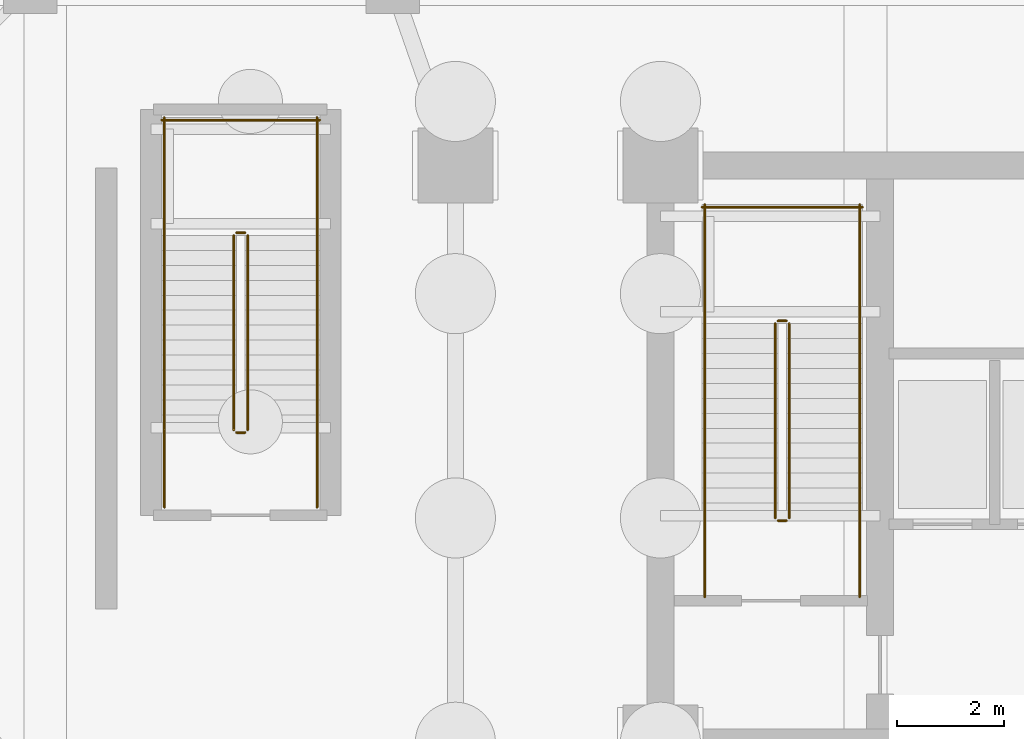
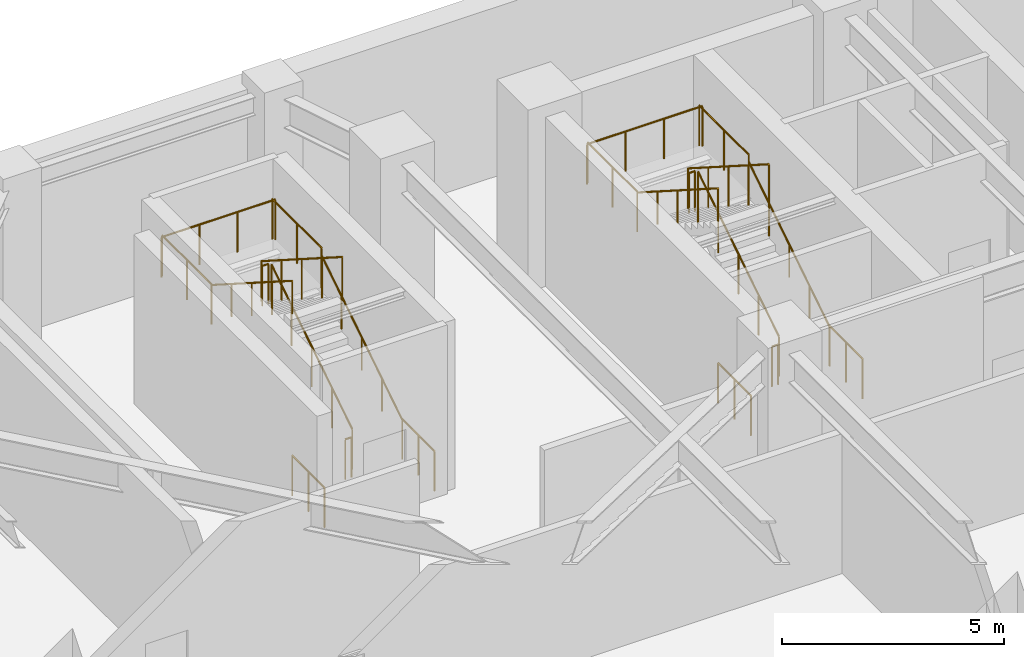
# One storey, part 7 of 9: 22 railings.
"""IFC4 building model written with IfcOpenShell, lengths in metres."""

from ifc_helpers import new_model, si_unit, direction, frame, origin, origin_2d, place, context, subcontext, project, spatial, circle, extrude, material, layer, layer_set, type_object, element, save


model = new_model("IFC4")

# Units and contexts
model_context = context("Model", 3, precision=1e-05, world=origin(), true_north=direction((0.0, 1.0)))
body_context = subcontext(model_context, "Body", "Model", "MODEL_VIEW")
ifc_project = project(units=[si_unit("LENGTHUNIT", "METRE"), si_unit("AREAUNIT", "SQUARE_METRE"), si_unit("VOLUMEUNIT", "CUBIC_METRE"), si_unit("PLANEANGLEUNIT", "RADIAN"), si_unit("MASSUNIT", "GRAM", prefix="KILO")], contexts=[model_context])

# Site, building, storey
site_placement = place(None, origin())
site = spatial("IfcSite", under=ifc_project, at=site_placement, CompositionType="ELEMENT")
building_placement = place(site_placement, origin())
building = spatial("IfcBuilding", under=site, at=building_placement, Name="Yelkora Congress Tower", CompositionType="ELEMENT")
storey_placement = place(building_placement, frame((0.0, 0.0, -10.0)))
storey = spatial("IfcBuildingStorey", under=building, at=storey_placement, Name="B02", CompositionType="ELEMENT", Elevation=-10.0)

# Railings
ifc_material_1 = material(Name="Painted galvanised steel stair well guard with vertical infill", Category="steel")
ifc_layer_1 = layer(ifc_material_1, 0.06005859375)
ifc_layer_set_1 = layer_set([ifc_layer_1], Name="Painted galvanised steel stair well guard with vertical infill")
railing_type_1 = type_object("IfcRailingType", Name="RAIL-STAIR-GUARD-1120", PredefinedType="GUARDRAIL", material=ifc_layer_set_1)
railing_1_placement = place(storey_placement, frame((25.449951171875, 39.60009765625, 0.178466796875)))
element("IfcRailing", 1, at=railing_1_placement, inside=storey, type_object=railing_type_1, Name="ST-01 B02 Stair Well Guardrail 1", PredefinedType="GUARDRAIL", context=body_context, shape_type="SweptSolid", body=[
    extrude(circle(Radius=0.02392578125, at=origin_2d()), frame((0.0, 0.0, 1.09619140625), z_axis=(0.0, 0.843111507901, 0.53773877045), x_axis=(-1.0, 0.0, 0.0)), (0.0, 0.0, 1.0), 4.317138671875),
    extrude(circle(Radius=0.02099609375, at=origin_2d()), origin(), (0.0, 0.0, 1.0), 1.072021484375),
    extrude(circle(Radius=0.02099609375, at=origin_2d()), frame((0.0, 0.909912109375, 0.580322265625)), (0.0, 0.0, 1.0), 1.072021484375),
    extrude(circle(Radius=0.02099609375, at=origin_2d()), frame((0.0, 1.81982421875, 1.16064453125)), (0.0, 0.0, 1.0), 1.072021484375),
    extrude(circle(Radius=0.02099609375, at=origin_2d()), frame((0.0, 2.72998046875, 1.7412109375)), (0.0, 0.0, 1.0), 1.072021484375),
    extrude(circle(Radius=0.02099609375, at=origin_2d()), frame((0.0, 3.639892578125, 2.321533203125)), (0.0, 0.0, 1.0), 1.072021484375),
])
railing_2_placement = place(storey_placement, frame((25.39990234375, 43.2900390625, 2.5)))
element("IfcRailing", 2, at=railing_2_placement, inside=storey, type_object=railing_type_1, Name="ST-01 B02 Stair Well Guardrail 2", PredefinedType="GUARDRAIL", context=body_context, shape_type="SweptSolid", body=[
    extrude(circle(Radius=0.02392578125, at=origin_2d()), frame((0.0, 0.0, 1.09619140625), z_axis=(-1.0, 0.0, 0.0), x_axis=(0.0, -1.0, 0.0)), (0.0, 0.0, 1.0), 0.159912109375),
    extrude(circle(Radius=0.02099609375, at=origin_2d()), origin(), (0.0, 0.0, 1.0), 1.072021484375),
    extrude(circle(Radius=0.02099609375, at=origin_2d()), frame((-0.159912109375, 0.0, 0.0)), (0.0, 0.0, 1.0), 1.072021484375),
])
for number, where, name in (
    (3, (26.77001953125, 43.239990234375, 2.5), "ST-01 B02 Stair Well Guardrail 3"),
    (4, (23.8701171875, 43.239990234375, 2.5), "ST-01 B02 Stair Well Guardrail 4"),
):
    element("IfcRailing", number, at=place(storey_placement, frame(where)), inside=storey, type_object=railing_type_1, Name=name, PredefinedType="GUARDRAIL", context=body_context, shape_type="SweptSolid", body=[
        extrude(circle(Radius=0.02392578125, at=origin_2d()), frame((0.0, 0.0, 1.09619140625), z_axis=(0.0, 1.0, 0.0), x_axis=(-1.0, 0.0, 0.0)), (0.0, 0.0, 1.0), 2.22998046875),
        extrude(circle(Radius=0.02099609375, at=origin_2d()), origin(), (0.0, 0.0, 1.0), 1.072021484375),
        extrude(circle(Radius=0.02099609375, at=origin_2d()), frame((0.0, 1.114990234375, 0.0)), (0.0, 0.0, 1.0), 1.072021484375),
        extrude(circle(Radius=0.02099609375, at=origin_2d()), frame((0.0, 2.22998046875, 0.0)), (0.0, 0.0, 1.0), 1.072021484375),
    ])
railing_3_placement = place(storey_placement, frame((26.820068359375, 45.419921875, 2.5)))
element("IfcRailing", 5, at=railing_3_placement, inside=storey, type_object=railing_type_1, Name="ST-01 B02 Stair Well Guardrail 5", PredefinedType="GUARDRAIL", context=body_context, shape_type="SweptSolid", body=[
    extrude(circle(Radius=0.02392578125, at=origin_2d()), frame((0.0, 0.0, 1.09619140625), z_axis=(-1.0, 0.0, 0.0), x_axis=(0.0, -1.0, 0.0)), (0.0, 0.0, 1.0), 3.0),
    extrude(circle(Radius=0.02099609375, at=origin_2d()), origin(), (0.0, 0.0, 1.0), 1.072021484375),
    extrude(circle(Radius=0.02099609375, at=origin_2d()), frame((-1.0, 0.0, 0.0)), (0.0, 0.0, 1.0), 1.072021484375),
    extrude(circle(Radius=0.02099609375, at=origin_2d()), frame((-2.0, 0.0, 0.0)), (0.0, 0.0, 1.0), 1.072021484375),
    extrude(circle(Radius=0.02099609375, at=origin_2d()), frame((-3.0, 0.0, 0.0)), (0.0, 0.0, 1.0), 1.072021484375),
])
railing_4_placement = place(storey_placement, frame((25.18994140625, 43.239990234375, 2.678466796875)))
element("IfcRailing", 6, at=railing_4_placement, inside=storey, type_object=railing_type_1, Name="ST-01 B02 Stair Well Guardrail 6", PredefinedType="GUARDRAIL", context=body_context, shape_type="SweptSolid", body=[
    extrude(circle(Radius=0.02392578125, at=origin_2d()), frame((0.0, 0.0, 1.09619140625), z_axis=(0.0, -0.843111507901, 0.53773877045), x_axis=(1.0, 0.0, 0.0)), (0.0, 0.0, 1.0), 4.317138671875),
    extrude(circle(Radius=0.02099609375, at=origin_2d()), origin(), (0.0, 0.0, 1.0), 1.072021484375),
    extrude(circle(Radius=0.02099609375, at=origin_2d()), frame((0.0, -0.909912109375, 0.580322265625)), (0.0, 0.0, 1.0), 1.072021484375),
    extrude(circle(Radius=0.02099609375, at=origin_2d()), frame((0.0, -1.81982421875, 1.16064453125)), (0.0, 0.0, 1.0), 1.072021484375),
    extrude(circle(Radius=0.02099609375, at=origin_2d()), frame((0.0, -2.72998046875, 1.7412109375)), (0.0, 0.0, 1.0), 1.072021484375),
    extrude(circle(Radius=0.02099609375, at=origin_2d()), frame((0.0, -3.639892578125, 2.321533203125)), (0.0, 0.0, 1.0), 1.072021484375),
])
railing_5_placement = place(storey_placement, frame((25.39990234375, 39.550048828125, 0.0)))
element("IfcRailing", 7, at=railing_5_placement, inside=storey, type_object=railing_type_1, Name="ST-01 B02 Stair Well Guardrail 7", PredefinedType="GUARDRAIL", context=body_context, shape_type="SweptSolid", body=[
    extrude(circle(Radius=0.02392578125, at=origin_2d()), frame((0.0, 0.0, 1.09619140625), z_axis=(-1.0, 0.0, 0.0), x_axis=(0.0, -1.0, 0.0)), (0.0, 0.0, 1.0), 0.159912109375),
    extrude(circle(Radius=0.02099609375, at=origin_2d()), origin(), (0.0, 0.0, 1.0), 1.072021484375),
    extrude(circle(Radius=0.02099609375, at=origin_2d()), frame((-0.159912109375, 0.0, 0.0)), (0.0, 0.0, 1.0), 1.072021484375),
])
for number, where, name in (
    (8, (26.77001953125, 38.1201171875, 0.0), "ST-01 B02 Stair Well Guardrail 8"),
    (9, (23.8701171875, 38.1201171875, 0.0), "ST-01 B02 Stair Well Guardrail 9"),
):
    element("IfcRailing", number, at=place(storey_placement, frame(where)), inside=storey, type_object=railing_type_1, Name=name, PredefinedType="GUARDRAIL", context=body_context, shape_type="SweptSolid", body=[
        extrude(circle(Radius=0.02392578125, at=origin_2d()), frame((0.0, 0.0, 1.09619140625), z_axis=(0.0, 1.0, 0.0), x_axis=(-1.0, 0.0, 0.0)), (0.0, 0.0, 1.0), 1.47998046875),
        extrude(circle(Radius=0.02099609375, at=origin_2d()), origin(), (0.0, 0.0, 1.0), 1.072021484375),
        extrude(circle(Radius=0.02099609375, at=origin_2d()), frame((0.0, 0.739990234375, 0.0)), (0.0, 0.0, 1.0), 1.072021484375),
        extrude(circle(Radius=0.02099609375, at=origin_2d()), frame((0.0, 1.47998046875, 0.0)), (0.0, 0.0, 1.0), 1.072021484375),
    ])
railing_6_placement = place(storey_placement, frame((15.31005859375, 41.25, 0.178466796875)))
element("IfcRailing", 10, at=railing_6_placement, inside=storey, type_object=railing_type_1, Name="ST-B1 B02 Stair Well Guardrail 1", PredefinedType="GUARDRAIL", context=body_context, shape_type="SweptSolid", body=[
    extrude(circle(Radius=0.02392578125, at=origin_2d()), frame((0.0, 0.0, 1.09619140625), z_axis=(0.0, 0.843111507901, 0.53773877045), x_axis=(-1.0, 0.0, 0.0)), (0.0, 0.0, 1.0), 4.317138671875),
    extrude(circle(Radius=0.02099609375, at=origin_2d()), origin(), (0.0, 0.0, 1.0), 1.072021484375),
    extrude(circle(Radius=0.02099609375, at=origin_2d()), frame((0.0, 0.909912109375, 0.580322265625)), (0.0, 0.0, 1.0), 1.072021484375),
    extrude(circle(Radius=0.02099609375, at=origin_2d()), frame((0.0, 1.81982421875, 1.16064453125)), (0.0, 0.0, 1.0), 1.072021484375),
    extrude(circle(Radius=0.02099609375, at=origin_2d()), frame((0.0, 2.72998046875, 1.7412109375)), (0.0, 0.0, 1.0), 1.072021484375),
    extrude(circle(Radius=0.02099609375, at=origin_2d()), frame((0.0, 3.639892578125, 2.321533203125)), (0.0, 0.0, 1.0), 1.072021484375),
])
railing_7_placement = place(storey_placement, frame((15.260009765625, 44.93994140625, 2.5)))
element("IfcRailing", 11, at=railing_7_placement, inside=storey, type_object=railing_type_1, Name="ST-B1 B02 Stair Well Guardrail 2", PredefinedType="GUARDRAIL", context=body_context, shape_type="SweptSolid", body=[
    extrude(circle(Radius=0.02392578125, at=origin_2d()), frame((0.0, 0.0, 1.09619140625), z_axis=(-1.0, 0.0, 0.0), x_axis=(0.0, -1.0, 0.0)), (0.0, 0.0, 1.0), 0.159912109375),
    extrude(circle(Radius=0.02099609375, at=origin_2d()), origin(), (0.0, 0.0, 1.0), 1.072021484375),
    extrude(circle(Radius=0.02099609375, at=origin_2d()), frame((-0.159912109375, 0.0, 0.0)), (0.0, 0.0, 1.0), 1.072021484375),
])
for number, where, name in (
    (12, (16.610107421875, 44.889892578125, 2.5), "ST-B1 B02 Stair Well Guardrail 3"),
    (13, (13.75, 44.889892578125, 2.5), "ST-B1 B02 Stair Well Guardrail 4"),
):
    element("IfcRailing", number, at=place(storey_placement, frame(where)), inside=storey, type_object=railing_type_1, Name=name, PredefinedType="GUARDRAIL", context=body_context, shape_type="SweptSolid", body=[
        extrude(circle(Radius=0.02392578125, at=origin_2d()), frame((0.0, 0.0, 1.09619140625), z_axis=(0.0, 1.0, 0.0), x_axis=(-1.0, 0.0, 0.0)), (0.0, 0.0, 1.0), 2.210205078125),
        extrude(circle(Radius=0.02099609375, at=origin_2d()), origin(), (0.0, 0.0, 1.0), 1.072021484375),
        extrude(circle(Radius=0.02099609375, at=origin_2d()), frame((0.0, 1.10498046875, 0.0)), (0.0, 0.0, 1.0), 1.072021484375),
        extrude(circle(Radius=0.02099609375, at=origin_2d()), frame((0.0, 2.210205078125, 0.0)), (0.0, 0.0, 1.0), 1.072021484375),
    ])
railing_8_placement = place(storey_placement, frame((16.659912109375, 47.050048828125, 2.5)))
element("IfcRailing", 14, at=railing_8_placement, inside=storey, type_object=railing_type_1, Name="ST-B1 B02 Stair Well Guardrail 5", PredefinedType="GUARDRAIL", context=body_context, shape_type="SweptSolid", body=[
    extrude(circle(Radius=0.02392578125, at=origin_2d()), frame((0.0, 0.0, 1.09619140625), z_axis=(-1.0, 0.0, 0.0), x_axis=(0.0, -1.0, 0.0)), (0.0, 0.0, 1.0), 2.9599609375),
    extrude(circle(Radius=0.02099609375, at=origin_2d()), origin(), (0.0, 0.0, 1.0), 1.072021484375),
    extrude(circle(Radius=0.02099609375, at=origin_2d()), frame((-0.986572265625, 0.0, 0.0)), (0.0, 0.0, 1.0), 1.072021484375),
    extrude(circle(Radius=0.02099609375, at=origin_2d()), frame((-1.973388671875, 0.0, 0.0)), (0.0, 0.0, 1.0), 1.072021484375),
    extrude(circle(Radius=0.02099609375, at=origin_2d()), frame((-2.9599609375, 0.0, 0.0)), (0.0, 0.0, 1.0), 1.072021484375),
])
railing_9_placement = place(storey_placement, frame((15.050048828125, 44.889892578125, 2.678466796875)))
element("IfcRailing", 15, at=railing_9_placement, inside=storey, type_object=railing_type_1, Name="ST-B1 B02 Stair Well Guardrail 6", PredefinedType="GUARDRAIL", context=body_context, shape_type="SweptSolid", body=[
    extrude(circle(Radius=0.02392578125, at=origin_2d()), frame((0.0, 0.0, 1.09619140625), z_axis=(0.0, -0.843111507901, 0.53773877045), x_axis=(1.0, 0.0, 0.0)), (0.0, 0.0, 1.0), 4.317138671875),
    extrude(circle(Radius=0.02099609375, at=origin_2d()), origin(), (0.0, 0.0, 1.0), 1.072021484375),
    extrude(circle(Radius=0.02099609375, at=origin_2d()), frame((0.0, -0.909912109375, 0.580322265625)), (0.0, 0.0, 1.0), 1.072021484375),
    extrude(circle(Radius=0.02099609375, at=origin_2d()), frame((0.0, -1.81982421875, 1.16064453125)), (0.0, 0.0, 1.0), 1.072021484375),
    extrude(circle(Radius=0.02099609375, at=origin_2d()), frame((0.0, -2.72998046875, 1.7412109375)), (0.0, 0.0, 1.0), 1.072021484375),
    extrude(circle(Radius=0.02099609375, at=origin_2d()), frame((0.0, -3.639892578125, 2.321533203125)), (0.0, 0.0, 1.0), 1.072021484375),
])
railing_10_placement = place(storey_placement, frame((15.260009765625, 41.199951171875, 0.0)))
element("IfcRailing", 16, at=railing_10_placement, inside=storey, type_object=railing_type_1, Name="ST-B1 B02 Stair Well Guardrail 7", PredefinedType="GUARDRAIL", context=body_context, shape_type="SweptSolid", body=[
    extrude(circle(Radius=0.02392578125, at=origin_2d()), frame((0.0, 0.0, 1.09619140625), z_axis=(-1.0, 0.0, 0.0), x_axis=(0.0, -1.0, 0.0)), (0.0, 0.0, 1.0), 0.159912109375),
    extrude(circle(Radius=0.02099609375, at=origin_2d()), origin(), (0.0, 0.0, 1.0), 1.072021484375),
    extrude(circle(Radius=0.02099609375, at=origin_2d()), frame((-0.159912109375, 0.0, 0.0)), (0.0, 0.0, 1.0), 1.072021484375),
])
for number, where, name in (
    (17, (16.610107421875, 39.800048828125, 0.0), "ST-B1 B02 Stair Well Guardrail 8"),
    (18, (13.75, 39.800048828125, 0.0), "ST-B1 B02 Stair Well Guardrail 9"),
):
    element("IfcRailing", number, at=place(storey_placement, frame(where)), inside=storey, type_object=railing_type_1, Name=name, PredefinedType="GUARDRAIL", context=body_context, shape_type="SweptSolid", body=[
        extrude(circle(Radius=0.02392578125, at=origin_2d()), frame((0.0, 0.0, 1.09619140625), z_axis=(0.0, 1.0, 0.0), x_axis=(-1.0, 0.0, 0.0)), (0.0, 0.0, 1.0), 1.449951171875),
        extrude(circle(Radius=0.02099609375, at=origin_2d()), origin(), (0.0, 0.0, 1.0), 1.072021484375),
        extrude(circle(Radius=0.02099609375, at=origin_2d()), frame((0.0, 0.72509765625, 0.0)), (0.0, 0.0, 1.0), 1.072021484375),
        extrude(circle(Radius=0.02099609375, at=origin_2d()), frame((0.0, 1.449951171875, 0.0)), (0.0, 0.0, 1.0), 1.072021484375),
    ])
ifc_material_2 = material(Name="Brushed stainless steel tubular handrail", Category="steel")
ifc_layer_2 = layer(ifc_material_2, 0.050048828125)
ifc_layer_set_2 = layer_set([ifc_layer_2], Name="Brushed stainless steel tubular handrail")
railing_type_2 = type_object("IfcRailingType", Name="RAIL-STAIR-HAND-920", PredefinedType="HANDRAIL", material=ifc_layer_set_2)
railing_11_placement = place(storey_placement, frame((26.77001953125, 39.60009765625, 0.178466796875)))
element("IfcRailing", 19, at=railing_11_placement, inside=storey, type_object=railing_type_2, Name="ST-01 B02 Pitch Handrail 1", PredefinedType="HANDRAIL", context=body_context, shape_type="SweptSolid", body=[
    extrude(circle(Radius=0.02392578125, at=origin_2d()), frame((0.0, 0.0, 0.89599609375), z_axis=(0.0, 0.843111507901, 0.53773877045), x_axis=(-1.0, 0.0, 0.0)), (0.0, 0.0, 1.0), 4.317138671875),
    extrude(circle(Radius=0.02099609375, at=origin_2d()), origin(), (0.0, 0.0, 1.0), 0.871826171875),
    extrude(circle(Radius=0.02099609375, at=origin_2d()), frame((0.0, 0.909912109375, 0.580322265625)), (0.0, 0.0, 1.0), 0.871826171875),
    extrude(circle(Radius=0.02099609375, at=origin_2d()), frame((0.0, 1.81982421875, 1.16064453125)), (0.0, 0.0, 1.0), 0.871826171875),
    extrude(circle(Radius=0.02099609375, at=origin_2d()), frame((0.0, 2.72998046875, 1.7412109375)), (0.0, 0.0, 1.0), 0.871826171875),
    extrude(circle(Radius=0.02099609375, at=origin_2d()), frame((0.0, 3.639892578125, 2.321533203125)), (0.0, 0.0, 1.0), 0.871826171875),
])
railing_12_placement = place(storey_placement, frame((23.8701171875, 43.239990234375, 2.678466796875)))
element("IfcRailing", 20, at=railing_12_placement, inside=storey, type_object=railing_type_2, Name="ST-01 B02 Pitch Handrail 2", PredefinedType="HANDRAIL", context=body_context, shape_type="SweptSolid", body=[
    extrude(circle(Radius=0.02392578125, at=origin_2d()), frame((0.0, 0.0, 0.89599609375), z_axis=(0.0, -0.843111507901, 0.53773877045), x_axis=(1.0, 0.0, 0.0)), (0.0, 0.0, 1.0), 4.317138671875),
    extrude(circle(Radius=0.02099609375, at=origin_2d()), origin(), (0.0, 0.0, 1.0), 0.871826171875),
    extrude(circle(Radius=0.02099609375, at=origin_2d()), frame((0.0, -0.909912109375, 0.580322265625)), (0.0, 0.0, 1.0), 0.871826171875),
    extrude(circle(Radius=0.02099609375, at=origin_2d()), frame((0.0, -1.81982421875, 1.16064453125)), (0.0, 0.0, 1.0), 0.871826171875),
    extrude(circle(Radius=0.02099609375, at=origin_2d()), frame((0.0, -2.72998046875, 1.7412109375)), (0.0, 0.0, 1.0), 0.871826171875),
    extrude(circle(Radius=0.02099609375, at=origin_2d()), frame((0.0, -3.639892578125, 2.321533203125)), (0.0, 0.0, 1.0), 0.871826171875),
])
railing_13_placement = place(storey_placement, frame((16.610107421875, 41.25, 0.178466796875)))
element("IfcRailing", 21, at=railing_13_placement, inside=storey, type_object=railing_type_2, Name="ST-B1 B02 Pitch Handrail 1", PredefinedType="HANDRAIL", context=body_context, shape_type="SweptSolid", body=[
    extrude(circle(Radius=0.02392578125, at=origin_2d()), frame((0.0, 0.0, 0.89599609375), z_axis=(0.0, 0.843111507901, 0.53773877045), x_axis=(-1.0, 0.0, 0.0)), (0.0, 0.0, 1.0), 4.317138671875),
    extrude(circle(Radius=0.02099609375, at=origin_2d()), origin(), (0.0, 0.0, 1.0), 0.871826171875),
    extrude(circle(Radius=0.02099609375, at=origin_2d()), frame((0.0, 0.909912109375, 0.580322265625)), (0.0, 0.0, 1.0), 0.871826171875),
    extrude(circle(Radius=0.02099609375, at=origin_2d()), frame((0.0, 1.81982421875, 1.16064453125)), (0.0, 0.0, 1.0), 0.871826171875),
    extrude(circle(Radius=0.02099609375, at=origin_2d()), frame((0.0, 2.72998046875, 1.7412109375)), (0.0, 0.0, 1.0), 0.871826171875),
    extrude(circle(Radius=0.02099609375, at=origin_2d()), frame((0.0, 3.639892578125, 2.321533203125)), (0.0, 0.0, 1.0), 0.871826171875),
])
railing_14_placement = place(storey_placement, frame((13.75, 44.889892578125, 2.678466796875)))
element("IfcRailing", 22, at=railing_14_placement, inside=storey, type_object=railing_type_2, Name="ST-B1 B02 Pitch Handrail 2", PredefinedType="HANDRAIL", context=body_context, shape_type="SweptSolid", body=[
    extrude(circle(Radius=0.02392578125, at=origin_2d()), frame((0.0, 0.0, 0.89599609375), z_axis=(0.0, -0.843111507901, 0.53773877045), x_axis=(1.0, 0.0, 0.0)), (0.0, 0.0, 1.0), 4.317138671875),
    extrude(circle(Radius=0.02099609375, at=origin_2d()), origin(), (0.0, 0.0, 1.0), 0.871826171875),
    extrude(circle(Radius=0.02099609375, at=origin_2d()), frame((0.0, -0.909912109375, 0.580322265625)), (0.0, 0.0, 1.0), 0.871826171875),
    extrude(circle(Radius=0.02099609375, at=origin_2d()), frame((0.0, -1.81982421875, 1.16064453125)), (0.0, 0.0, 1.0), 0.871826171875),
    extrude(circle(Radius=0.02099609375, at=origin_2d()), frame((0.0, -2.72998046875, 1.7412109375)), (0.0, 0.0, 1.0), 0.871826171875),
    extrude(circle(Radius=0.02099609375, at=origin_2d()), frame((0.0, -3.639892578125, 2.321533203125)), (0.0, 0.0, 1.0), 0.871826171875),
])

save(model, "model.ifc")
